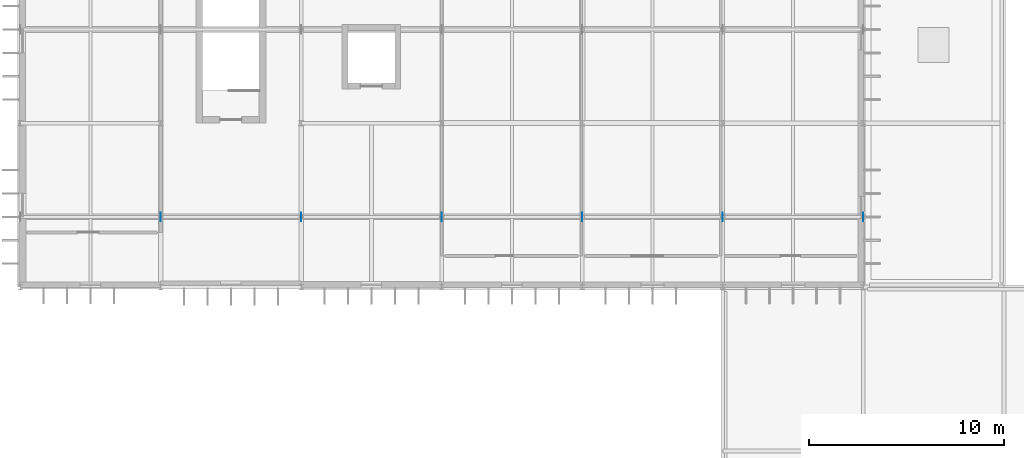
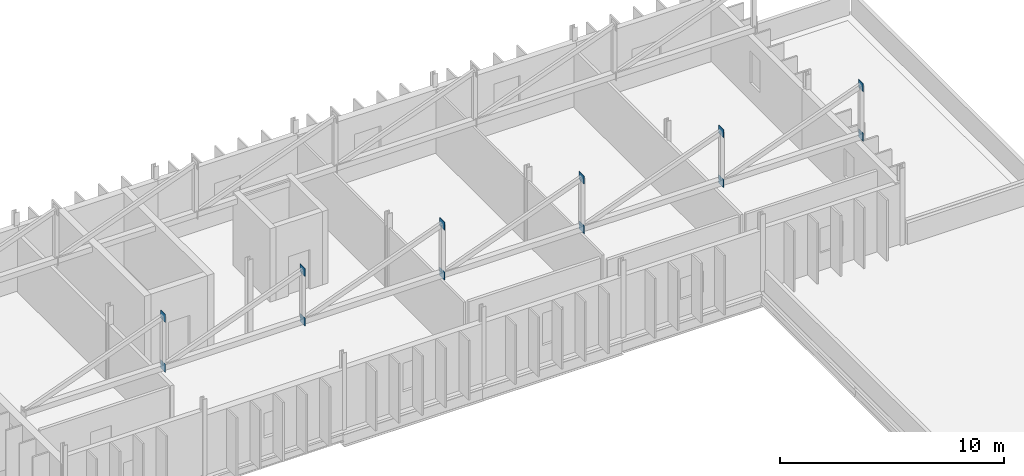
# One storey, part 34 of 52: 12 plates.
"""IFC4 building model written with IfcOpenShell, lengths in metres."""

import ifcopenshell
import ifcopenshell.guid

model = None  # the IFC model being written
_history = None  # IfcOwnerHistory: only IFC2X3 demands one
_inside = {}  # id of a spatial element -> (the spatial element, [elements in it])
_under = {}  # id of a project, library or spatial element -> (it, [spatial elements below it])
_declared = {}  # id of a project -> (the project, [libraries it declares])
_typed = {}  # id of a type object -> (the type object, [elements of that type])
_made_of = {}  # id of a material, layer set ... -> (it, [elements and type objects made of it])


def new_model(schema):
    """Start an empty IFC model of exactly this schema.

    Asked for "IFC4X3", IfcOpenShell would pick the latest addendum, in which some entities
    have other attributes; the version numbers below select the first issue.
    IFC2X3 requires an IfcOwnerHistory on every rooted entity: one is made here for all.
    """
    global model, _history
    if schema == "IFC4X3":
        model = ifcopenshell.file(schema_version=(4, 3, 0, 0))
    else:
        model = ifcopenshell.file(schema=schema)
    _inside.clear()
    _under.clear()
    _declared.clear()
    _typed.clear()
    _made_of.clear()
    _history = None
    if model.schema == "IFC2X3":
        org = make("IfcOrganization", Name="unknown")
        user = make(
            "IfcPersonAndOrganization",
            ThePerson=make("IfcPerson", FamilyName="unknown"),
            TheOrganization=org,
        )
        app = make(
            "IfcApplication",
            ApplicationDeveloper=org,
            Version="unknown",
            ApplicationFullName="unknown",
            ApplicationIdentifier="unknown",
        )
        _history = make(
            "IfcOwnerHistory",
            OwningUser=user,
            OwningApplication=app,
            ChangeAction="ADDED",
            CreationDate=0,
        )
    return model


def make(cls, **values):
    """One entity of the class cls with the attributes given. An attribute that is None is left unset."""
    return model.create_entity(
        cls, **{name: value for name, value in values.items() if value is not None}
    )


def rooted(cls, **values):
    """An entity with a GlobalId (a new one), such as an element, a storey or a relation."""
    return make(cls, GlobalId=ifcopenshell.guid.new(), OwnerHistory=_history, **values)


def si_unit(unit_type, name, prefix=None):
    """IfcSIUnit, for example si_unit("LENGTHUNIT", "METRE", prefix="MILLI")."""
    return make("IfcSIUnit", UnitType=unit_type, Prefix=prefix, Name=name)


def assignment(units):
    """IfcUnitAssignment: the units of a project."""
    return None if units is None else make("IfcUnitAssignment", Units=units)


def point(xyz):
    """IfcCartesianPoint."""
    return None if xyz is None else make("IfcCartesianPoint", Coordinates=xyz)


def direction(xyz):
    """IfcDirection."""
    return None if xyz is None else make("IfcDirection", DirectionRatios=xyz)


def frame(location, z_axis=None, x_axis=None):
    """IfcAxis2Placement3D, a coordinate frame: its origin and axes. An axis left out is left unset."""
    return make(
        "IfcAxis2Placement3D",
        Location=point(location),
        Axis=direction(z_axis),
        RefDirection=direction(x_axis),
    )


def frame_2d(location, x_axis=None):
    """IfcAxis2Placement2D, a coordinate frame in the plane: its origin and x axis."""
    return make(
        "IfcAxis2Placement2D", Location=point(location), RefDirection=direction(x_axis)
    )


def origin():
    """The frame at (0, 0, 0) with its axes left unset."""
    return frame((0.0, 0.0, 0.0))


def origin_2d():
    """The frame at (0, 0) in the plane with its x axis left unset."""
    return frame_2d((0.0, 0.0))


def place(relative_to, where):
    """IfcLocalPlacement: puts the frame where relative to a parent placement (None: the world)."""
    return make(
        "IfcLocalPlacement", PlacementRelTo=relative_to, RelativePlacement=where
    )


def context(
    kind, dimensions, precision=None, world=None, true_north=None, identifier=None
):
    """IfcGeometricRepresentationContext, for example the 3D "Model" context."""
    return make(
        "IfcGeometricRepresentationContext",
        ContextIdentifier=identifier,
        ContextType=kind,
        CoordinateSpaceDimension=dimensions,
        Precision=precision,
        WorldCoordinateSystem=world,
        TrueNorth=true_north,
    )


def subcontext(parent, identifier, kind, view, scale=None):
    """IfcGeometricRepresentationSubContext, for example "Body" below "Model"."""
    return make(
        "IfcGeometricRepresentationSubContext",
        ContextIdentifier=identifier,
        ContextType=kind,
        ParentContext=parent,
        TargetScale=scale,
        TargetView=view,
    )


def project(units=None, contexts=None):
    """IfcProject with its units and contexts."""
    return rooted(
        "IfcProject",
        Name="project",
        RepresentationContexts=contexts,
        UnitsInContext=assignment(units),
    )


def spatial(cls, under=None, at=None, **own):
    """A site, building, storey or space (cls), placed at a placement, below another one or the project."""
    s = rooted(cls, ObjectPlacement=at, **own)
    if under is not None:
        _under.setdefault(under.id(), (under, []))[1].append(s)
    return s


def profile(cls, at=None, kind="AREA", **sizes):
    """A parametric profile (cls). Its sizes go by their IFC names, for example OverallWidth=200.0."""
    return make(cls, ProfileType=kind, Position=at, **sizes)


def rectangle(**sizes):
    """IfcRectangleProfileDef."""
    return profile("IfcRectangleProfileDef", **sizes)


def extrude(swept, where, along, depth):
    """IfcExtrudedAreaSolid: the profile swept, set in the frame where, extruded along a direction by depth."""
    return make(
        "IfcExtrudedAreaSolid",
        SweptArea=swept,
        Position=where,
        ExtrudedDirection=direction(along),
        Depth=depth,
    )


def shape(context_of_items, identifier, shape_type, items):
    """IfcShapeRepresentation: the items that make up one representation, for example the "Body"."""
    return make(
        "IfcShapeRepresentation",
        ContextOfItems=context_of_items,
        RepresentationIdentifier=identifier,
        RepresentationType=shape_type,
        Items=items,
    )


def material(Name=None, Category=None):
    """IfcMaterial."""
    return make("IfcMaterial", Name=Name, Category=Category)


def layer(
    of_material, thickness, ventilated=None, Name=None, Category=None, Priority=None
):
    """IfcMaterialLayer: one layer of a wall or slab, of a material (None: an air gap)."""
    return make(
        "IfcMaterialLayer",
        Material=of_material,
        LayerThickness=thickness,
        IsVentilated=ventilated,
        Name=Name,
        Category=Category,
        Priority=Priority,
    )


def layer_set(layers, Name=None):
    """IfcMaterialLayerSet."""
    return make("IfcMaterialLayerSet", MaterialLayers=layers, LayerSetName=Name)


def made_of(thing, what):
    """Note that an element or type object is made of a material, layer set ...; save() writes the relation."""
    if what is not None:
        _made_of.setdefault(what.id(), (what, []))[1].append(thing)
    return thing


def type_object(cls, material=None, **own):
    """A type object (cls), such as IfcWallType, which elements share."""
    return made_of(rooted(cls, **own), material)


def element(
    cls,
    number,
    at=None,
    inside=None,
    cuts=None,
    type_object=None,
    material=None,
    context=None,
    identifier="Body",
    shape_type=None,
    held_by="IfcProductDefinitionShape",
    body=None,
    shapes=None,
    **own,
):
    """One element of the class cls, such as IfcWall. Its Tag is "e" and its number.

    at: its placement. inside: the storey or other place that contains it. cuts: it is an
    opening in that element (IfcRelVoidsElement). A single representation is given by context,
    identifier, shape_type and body (its items); several are given by shapes. held_by: the class
    of the entity that holds the representations. save() writes the other relations.
    """
    e = rooted(cls, Tag="e%d" % number, ObjectPlacement=at, **own)
    if body is not None:
        shapes = [shape(context, identifier, shape_type, body)]
    if shapes is not None:
        e.Representation = make(held_by, Representations=shapes)
    if inside is not None:
        _inside.setdefault(inside.id(), (inside, []))[1].append(e)
    if cuts is not None:
        rooted(
            "IfcRelVoidsElement", RelatingBuildingElement=cuts, RelatedOpeningElement=e
        )
    if type_object is not None:
        _typed.setdefault(type_object.id(), (type_object, []))[1].append(e)
    return made_of(e, material)


def aggregate(whole, parts):
    """IfcRelAggregates: a whole, such as a stair, and the parts it consists of."""
    return rooted("IfcRelAggregates", RelatingObject=whole, RelatedObjects=parts)


def save(model, path):
    """Write the relations noted so far, then the file.

    IfcRelAggregates (storeys below a building ...), IfcRelContainedInSpatialStructure (elements
    in a storey), IfcRelDefinesByType, IfcRelAssociatesMaterial and IfcRelDeclares: one each for
    every whole, place, type object, material and project.
    """
    for whole, parts in _under.values():
        aggregate(whole, parts)
    for where, things in _inside.values():
        rooted(
            "IfcRelContainedInSpatialStructure",
            RelatedElements=things,
            RelatingStructure=where,
        )
    for kind, things in _typed.values():
        rooted("IfcRelDefinesByType", RelatedObjects=things, RelatingType=kind)
    for what, things in _made_of.values():
        rooted("IfcRelAssociatesMaterial", RelatedObjects=things, RelatingMaterial=what)
    for by, libraries in _declared.values():
        rooted("IfcRelDeclares", RelatingContext=by, RelatedDefinitions=libraries)
    model.write(path)


model = new_model("IFC4")

# Units and contexts
model_context = context("Model", 3, precision=1e-05, world=origin(), true_north=direction((0.0, 1.0)))
body_context = subcontext(model_context, "Body", "Model", "MODEL_VIEW")
ifc_project = project(units=[si_unit("LENGTHUNIT", "METRE"), si_unit("AREAUNIT", "SQUARE_METRE"), si_unit("VOLUMEUNIT", "CUBIC_METRE"), si_unit("PLANEANGLEUNIT", "RADIAN"), si_unit("MASSUNIT", "GRAM", prefix="KILO")], contexts=[model_context])

# Site, building, storey
site_placement = place(None, origin())
site = spatial("IfcSite", under=ifc_project, at=site_placement, CompositionType="ELEMENT")
building_placement = place(site_placement, origin())
building = spatial("IfcBuilding", under=site, at=building_placement, Name="Qelthora Terrace Specialist Clinic", CompositionType="ELEMENT")
storey_placement = place(building_placement, frame((0.0, 0.0, 17.39990234375)))
storey = spatial("IfcBuildingStorey", under=building, at=storey_placement, Name="L04", CompositionType="ELEMENT", Elevation=17.39990234375)

# Plates
ifc_material = material(Name="Steel S355", Category="steel")
ifc_layer = layer(ifc_material, 0.011962890625)
ifc_layer_set = layer_set([ifc_layer], Name="Steel S355")
plate_type = type_object("IfcPlateType", Name="PLT-CAP-360X360X12", PredefinedType="USERDEFINED", material=ifc_layer_set)
for number, where, z_axis, x_axis, name in (
    (1, (64.800048828125, 96.0, 6.240234375), (0.0, 0.0, 1.0), (1.0, 0.0, 0.0), "Steel truss node plate GPLT-0118"),
    (2, (64.800048828125, 96.0, 3.530029296875), (0.0, 0.0, 1.0), (1.0, 0.0, 0.0), "Steel truss node plate GPLT-0119"),
    (3, (72.0, 96.0, 6.240234375), (0.0, 0.0, 1.0), (1.0, 0.0, 0.0), "Steel truss node plate GPLT-0123"),
    (4, (72.0, 96.0, 3.530029296875), (0.0, 0.0, 1.0), (1.0, 0.0, 0.0), "Steel truss node plate GPLT-0124"),
    (5, (79.199951171875, 96.0, 6.240234375), (0.0, 0.0, 1.0), (1.0, 0.0, 0.0), "Steel truss node plate GPLT-0127"),
    (6, (79.199951171875, 96.0, 3.530029296875), (0.0, 0.0, 1.0), (1.0, 0.0, 0.0), "Steel truss node plate GPLT-0128"),
    (7, (86.39990234375, 96.0, 6.240234375), (0.0, 0.0, 1.0), (1.0, 0.0, 0.0), "Steel truss node plate GPLT-0131"),
    (8, (86.39990234375, 96.0, 3.530029296875), (0.0, 0.0, 1.0), (1.0, 0.0, 0.0), "Steel truss node plate GPLT-0132"),
    (9, (93.60009765625, 96.0, 6.240234375), (0.0, 0.0, 1.0), (1.0, 0.0, 0.0), "Steel truss node plate GPLT-0135"),
    (10, (93.60009765625, 96.0, 3.530029296875), (0.0, 0.0, 1.0), (1.0, 0.0, 0.0), "Steel truss node plate GPLT-0136"),
    (11, (100.800048828125, 96.0, 6.240234375), (0.0, 0.0, 1.0), (1.0, 0.0, 0.0), "Steel truss node plate GPLT-0139"),
    (12, (100.800048828125, 96.0, 3.530029296875), (0.0, 0.0, 1.0), (1.0, 0.0, 0.0), "Steel truss node plate GPLT-0140"),
):
    element("IfcPlate", number, at=place(storey_placement, frame(where, z_axis=z_axis, x_axis=x_axis)), inside=storey, type_object=plate_type, Name=name, ObjectType="GUSSET PLATE", PredefinedType="USERDEFINED", context=body_context, shape_type="SweptSolid", body=[
        extrude(rectangle(XDim=0.011962890625, YDim=0.43994140625, at=origin_2d()), origin(), (0.0, 0.0, 1.0), 0.43994140625),
    ])

save(model, "model.ifc")
